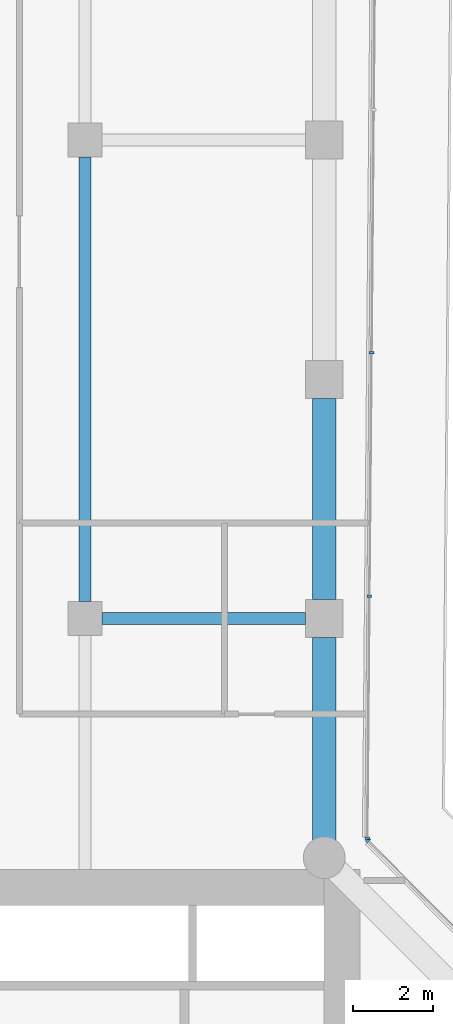
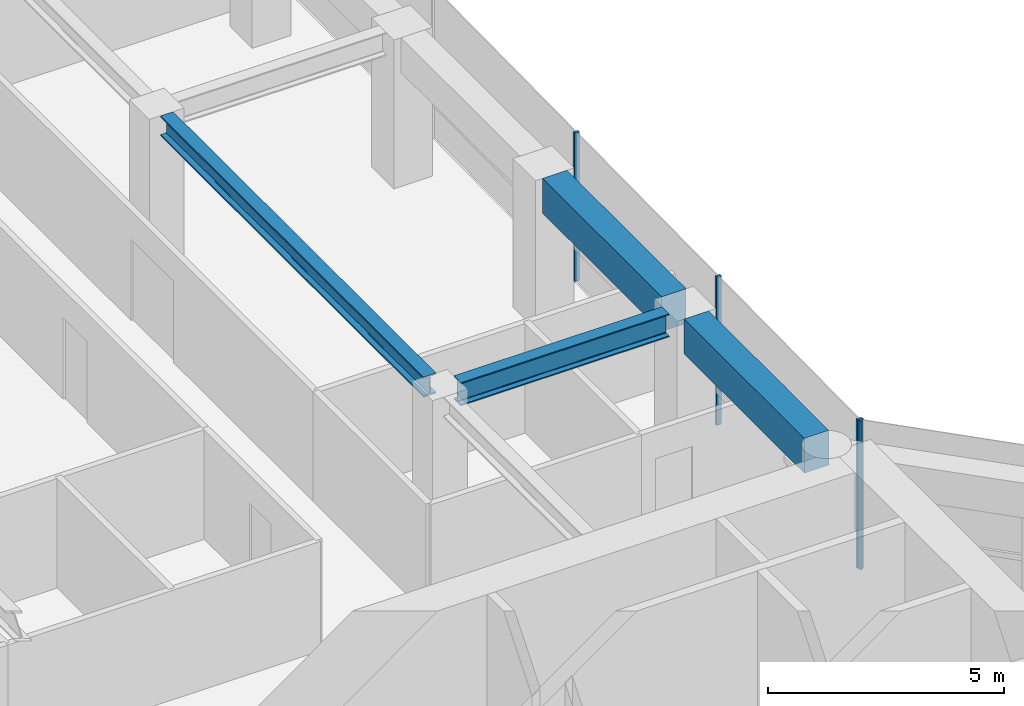
# One storey, part 13 of 29: 4 beams, 4 members, 2 elements without a shape of their own.
"""IFC4 building model written with IfcOpenShell, lengths in metres."""

from ifc_helpers import new_model, si_unit, direction, frame, origin, origin_2d, place, context, subcontext, project, spatial, rectangle, i_section, extrude, material, layer, layer_set, material_profile, profile_set, type_object, element, aggregate, save


model = new_model("IFC4")

# Units and contexts
model_context = context("Model", 3, precision=1e-05, world=origin(), true_north=direction((0.0, 1.0)))
body_context = subcontext(model_context, "Body", "Model", "MODEL_VIEW")
ifc_project = project(units=[si_unit("LENGTHUNIT", "METRE"), si_unit("AREAUNIT", "SQUARE_METRE"), si_unit("VOLUMEUNIT", "CUBIC_METRE"), si_unit("PLANEANGLEUNIT", "RADIAN"), si_unit("MASSUNIT", "GRAM", prefix="KILO")], contexts=[model_context])

# Site, building, storey
site_placement = place(None, origin())
site = spatial("IfcSite", under=ifc_project, at=site_placement, CompositionType="ELEMENT")
building_placement = place(site_placement, origin())
building = spatial("IfcBuilding", under=site, at=building_placement, Name="Welwitschia Terrace Campus", CompositionType="ELEMENT")
storey_placement = place(building_placement, frame((0.0, 0.0, 50.0)))
storey = spatial("IfcBuildingStorey", under=building, at=storey_placement, Name="L11", CompositionType="ELEMENT", Elevation=50.0)

# Beam
ifc_material_1 = material(Name="Steel S355", Category="steel")
ifc_material_profile_1 = material_profile(ifc_material_1, i_section(OverallWidth=0.305908203125, OverallDepth=0.52392578125, WebThickness=0.02099609375, FlangeThickness=0.0400390625, FilletRadius=0.027099609375, at=origin_2d()))
ifc_profile_set_1 = profile_set([ifc_material_profile_1], Name="Steel S355")
beam_type_1 = type_object("IfcBeamType", Name="Interior girder HE 500 M", PredefinedType="BEAM", material=ifc_profile_set_1)
beam_1_placement = place(storey_placement, frame((18.0, 32.425537109375, 3.587890625), z_axis=(0.0, 1.0, 0.0), x_axis=(-1.0, 0.0, 0.0)))
element("IfcBeam", 1, at=beam_1_placement, inside=storey, type_object=beam_type_1, Name="Girder GB2", PredefinedType="BEAM", context=body_context, shape_type="SweptSolid", body=[
    extrude(i_section(OverallWidth=0.305908203125, OverallDepth=0.52392578125, WebThickness=0.02099609375, FlangeThickness=0.0400390625, FilletRadius=0.027099609375, at=origin_2d()), origin(), (0.0, 0.0, 1.0), 11.14892578125),
])

# Curtain wall, member
ifc_material_2 = material(Name="Bronze anodised aluminium", Category="aluminium")
ifc_layer = layer(ifc_material_2, 0.1201171875)
ifc_layer_set = layer_set([ifc_layer], Name="Bronze anodised aluminium")
curtain_wall_type = type_object("IfcCurtainWallType", Name="Curtain wall CW2 tower 6000", PredefinedType="NOTDEFINED", material=ifc_layer_set)
curtain_wall_1_placement = place(storey_placement, origin())
curtain_wall_1 = element("IfcCurtainWall", 2, at=curtain_wall_1_placement, inside=storey, type_object=curtain_wall_type, Name="CW L11.7.0", PredefinedType="NOTDEFINED")
ifc_material_3 = material(Name="Bronze anodised aluminium", Category="aluminium")
ifc_material_profile_2 = material_profile(ifc_material_3, rectangle(XDim=0.1201171875, YDim=0.06005859375, at=origin_2d()))
ifc_profile_set_2 = profile_set([ifc_material_profile_2], Name="Bronze anodised aluminium")
member_type = type_object("IfcMemberType", Name="Mullion 60x120", PredefinedType="MULLION", material=ifc_profile_set_2)
member_1_placement = place(storey_placement, frame((25.097900390625, 26.436279296875, 0.0), z_axis=(0.0, 0.0, 1.0), x_axis=(-0.709608413797, -0.704596266715, 0.0)))
member_1 = element("IfcMember", 3, at=member_1_placement, type_object=member_type, Name="Mullion L11.7.0.1", PredefinedType="MULLION", context=body_context, shape_type="SweptSolid", body=[
    extrude(rectangle(XDim=0.1201171875, YDim=0.06005859375, at=origin_2d()), origin(), (0.0, 0.0, 1.0), 3.85009765625),
])
aggregate(curtain_wall_1, [member_1])

# Curtain wall, members
curtain_wall_2_placement = place(storey_placement, origin())
curtain_wall_2 = element("IfcCurtainWall", 4, at=curtain_wall_2_placement, inside=storey, type_object=curtain_wall_type, Name="CW L11.8.0", PredefinedType="NOTDEFINED")
member_2_placement = place(storey_placement, frame((25.0771484375, 26.487548828125, 0.0), z_axis=(0.0, 0.0, 1.0), x_axis=(-0.999961923064, 0.008726535498, 0.0)))
member_2 = element("IfcMember", 5, at=member_2_placement, type_object=member_type, Name="Mullion L11.8.0.0", PredefinedType="MULLION", context=body_context, shape_type="SweptSolid", body=[
    extrude(rectangle(XDim=0.1201171875, YDim=0.06005859375, at=origin_2d()), origin(), (0.0, 0.0, 1.0), 3.85009765625),
])
member_3_placement = place(storey_placement, frame((25.130126953125, 32.560791015625, 0.0), z_axis=(0.0, 0.0, 1.0), x_axis=(-0.999961923064, 0.008726535498, 0.0)))
member_3 = element("IfcMember", 6, at=member_3_placement, type_object=member_type, Name="Mullion L11.8.0.1", PredefinedType="MULLION", context=body_context, shape_type="SweptSolid", body=[
    extrude(rectangle(XDim=0.1201171875, YDim=0.06005859375, at=origin_2d()), origin(), (0.0, 0.0, 1.0), 3.85009765625),
])
member_4_placement = place(storey_placement, frame((25.183349609375, 38.663818359375, 0.0), z_axis=(0.0, 0.0, 1.0), x_axis=(-0.999961923064, 0.008726535498, 0.0)))
member_4 = element("IfcMember", 7, at=member_4_placement, type_object=member_type, Name="Mullion L11.8.0.2", PredefinedType="MULLION", context=body_context, shape_type="SweptSolid", body=[
    extrude(rectangle(XDim=0.1201171875, YDim=0.06005859375, at=origin_2d()), origin(), (0.0, 0.0, 1.0), 3.85009765625),
])
aggregate(curtain_wall_2, [member_2, member_3, member_4])

# Beams
ifc_material_4 = material(Name="Steel S355", Category="steel")
ifc_material_profile_3 = material_profile(ifc_material_4, i_section(OverallWidth=0.300048828125, OverallDepth=0.60009765625, WebThickness=0.015380859375, FlangeThickness=0.030029296875, FilletRadius=0.027099609375, at=origin_2d()))
ifc_profile_set_3 = profile_set([ifc_material_profile_3], Name="Steel S355")
beam_type_2 = type_object("IfcBeamType", Name="Primary beam HE 600 B", PredefinedType="BEAM", material=ifc_profile_set_3)
beam_2_placement = place(storey_placement, frame((23.5244140625, 32.0, 3.550048828125), z_axis=(-1.0, 0.0, 0.0), x_axis=(0.0, -1.0, 0.0)))
element("IfcBeam", 8, at=beam_2_placement, inside=storey, type_object=beam_type_2, Name="Primary beam PB2", PredefinedType="BEAM", context=body_context, shape_type="SweptSolid", body=[
    extrude(i_section(OverallWidth=0.300048828125, OverallDepth=0.60009765625, WebThickness=0.015380859375, FlangeThickness=0.030029296875, FilletRadius=0.027099609375, at=origin_2d()), origin(), (0.0, 0.0, 1.0), 5.098876953125),
])
ifc_material_5 = material(Name="Concrete C60/75", Category="concrete")
ifc_material_profile_4 = material_profile(ifc_material_5, rectangle(XDim=0.60009765625, YDim=0.89990234375, at=origin_2d()))
ifc_profile_set_4 = profile_set([ifc_material_profile_4], Name="Concrete C60/75")
beam_type_3 = type_object("IfcBeamType", Name="Ring spandrel 600x900", PredefinedType="SPANDREL", material=ifc_profile_set_4)
beam_3_placement = place(storey_placement, frame((24.0, 26.431396484375, 3.39990234375), z_axis=(0.0, 1.0, 0.0), x_axis=(-1.0, 0.0, 0.0)))
element("IfcBeam", 9, at=beam_3_placement, inside=storey, type_object=beam_type_3, Name="Spandrel SP2", PredefinedType="SPANDREL", context=body_context, shape_type="SweptSolid", body=[
    extrude(rectangle(XDim=0.60009765625, YDim=0.89990234375, at=origin_2d()), origin(), (0.0, 0.0, 1.0), 5.093017578125),
])
beam_4_placement = place(storey_placement, frame((24.0, 32.4755859375, 3.39990234375), z_axis=(0.0, 1.0, 0.0), x_axis=(-1.0, 0.0, 0.0)))
element("IfcBeam", 10, at=beam_4_placement, inside=storey, type_object=beam_type_3, Name="Spandrel SP2", PredefinedType="SPANDREL", context=body_context, shape_type="SweptSolid", body=[
    extrude(rectangle(XDim=0.60009765625, YDim=0.89990234375, at=origin_2d()), origin(), (0.0, 0.0, 1.0), 5.048828125),
])

save(model, "model.ifc")
